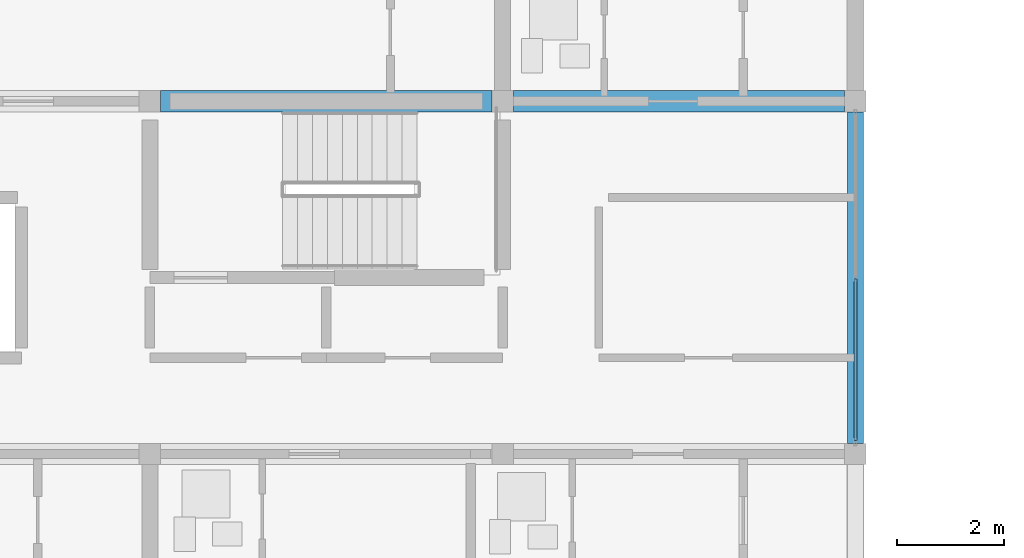
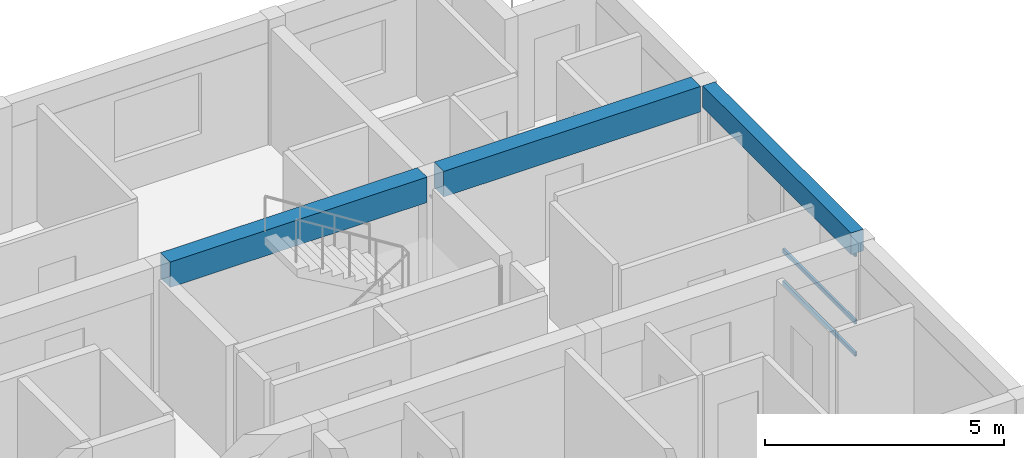
# One storey, part 9 of 45: 3 beams, 3 members, 1 element without a shape of its own.
"""IFC4 building model written with IfcOpenShell, lengths in metres."""

from ifc_helpers import new_model, si_unit, direction, frame, origin, origin_2d, place, context, subcontext, project, spatial, rectangle, hollow_rectangle, extrude, material, material_profile, profile_set, type_object, element, aggregate, save


model = new_model("IFC4")

# Units and contexts
model_context = context("Model", 3, precision=1e-05, world=origin(), true_north=direction((0.0, 1.0)))
body_context = subcontext(model_context, "Body", "Model", "MODEL_VIEW")
ifc_project = project(units=[si_unit("LENGTHUNIT", "METRE"), si_unit("AREAUNIT", "SQUARE_METRE"), si_unit("VOLUMEUNIT", "CUBIC_METRE"), si_unit("PLANEANGLEUNIT", "RADIAN"), si_unit("MASSUNIT", "GRAM", prefix="KILO")], contexts=[model_context])

# Site, building, storey
site_placement = place(None, origin())
site = spatial("IfcSite", under=ifc_project, at=site_placement, CompositionType="ELEMENT")
building_placement = place(site_placement, origin())
building = spatial("IfcBuilding", under=site, at=building_placement, Name="Kernevlak Ridge Housing Community", CompositionType="ELEMENT")
storey_placement = place(building_placement, frame((0.0, 0.0, 21.199951171875)))
storey = spatial("IfcBuildingStorey", under=building, at=storey_placement, Name="L06", CompositionType="ELEMENT", Elevation=21.199951171875)

# Beams
ifc_material_1 = material(Name="Concrete C35/45", Category="concrete")
ifc_material_profile_1 = material_profile(ifc_material_1, rectangle(XDim=0.39990234375, YDim=0.64990234375, at=origin_2d()), Name="RC 400x650")
ifc_profile_set_1 = profile_set([ifc_material_profile_1], Name="Concrete C35/45")
beam_type_1 = type_object("IfcBeamType", Name="B-03", PredefinedType="T_BEAM", material=ifc_profile_set_1)
for number, where, z_axis, x_axis, name in (
    (1, (29.0, 28.800048828125, 2.875), (1.0, 0.0, 0.0), (0.0, 1.0, 0.0), "Beam B-03 L06 1464"),
    (2, (35.60009765625, 28.800048828125, 2.875), (1.0, 0.0, 0.0), (0.0, 1.0, 0.0), "Beam B-03 L06 1465"),
):
    element("IfcBeam", number, at=place(storey_placement, frame(where, z_axis=z_axis, x_axis=x_axis)), inside=storey, type_object=beam_type_1, Name=name, PredefinedType="T_BEAM", context=body_context, shape_type="SweptSolid", body=[
        extrude(rectangle(XDim=0.39990234375, YDim=0.64990234375, at=origin_2d()), origin(), (0.0, 0.0, 1.0), 6.199951171875),
    ])
ifc_material_profile_2 = material_profile(ifc_material_1, rectangle(XDim=0.300048828125, YDim=0.550048828125, at=origin_2d()), Name="RC 300x550")
ifc_profile_set_2 = profile_set([ifc_material_profile_2], Name="Concrete C35/45")
beam_type_2 = type_object("IfcBeamType", Name="SP-01", PredefinedType="SPANDREL", material=ifc_profile_set_2)
beam_placement = place(storey_placement, frame((42.0, 22.39990234375, 2.925048828125), z_axis=(0.0, 1.0, 0.0), x_axis=(-1.0, 0.0, 0.0)))
element("IfcBeam", 3, at=beam_placement, inside=storey, type_object=beam_type_2, Name="Beam SP-01 L06 1474", PredefinedType="SPANDREL", context=body_context, shape_type="SweptSolid", body=[
    extrude(rectangle(XDim=0.300048828125, YDim=0.550048828125, at=origin_2d()), origin(), (0.0, 0.0, 1.0), 6.2001953125),
])

# Curtain wall, members
ifc_material_2 = material(Name="Aluminium EN AW-6060 anodised and laminated glass", Category="aluminium")
curtain_wall_type = type_object("IfcCurtainWallType", Name="CW-04", PredefinedType="NOTDEFINED", material=ifc_material_2)
curtain_wall_placement = place(storey_placement, origin())
curtain_wall = element("IfcCurtainWall", 4, at=curtain_wall_placement, inside=storey, type_object=curtain_wall_type, Name="Curtain wall CW-04 CW-L06-159", PredefinedType="NOTDEFINED")
ifc_material_3 = material(Name="Aluminium EN AW-6060 anodised", Category="aluminium")
ifc_material_profile_3 = material_profile(ifc_material_3, hollow_rectangle(XDim=0.054931640625, YDim=0.110107421875, WallThickness=0.00390625, InnerFilletRadius=0.001953125, OuterFilletRadius=0.00390625, at=origin_2d()), Name="ALU 55x110x4")
ifc_profile_set_3 = profile_set([ifc_material_profile_3], Name="Aluminium EN AW-6060 anodised")
member_type = type_object("IfcMemberType", Name="TM-01", PredefinedType="USERDEFINED", material=ifc_profile_set_3)
member_1_placement = place(storey_placement, frame((42.0, 22.455078125, 0.027587890625), z_axis=(0.0, 1.0, 0.0), x_axis=(-1.0, 0.0, 0.0)))
member_1 = element("IfcMember", 5, at=member_1_placement, type_object=member_type, Name="CW-04 transom 1.1", ObjectType="TRANSOM", PredefinedType="USERDEFINED", context=body_context, shape_type="SweptSolid", body=[
    extrude(hollow_rectangle(XDim=0.054931640625, YDim=0.110107421875, WallThickness=0.00390625, InnerFilletRadius=0.001953125, OuterFilletRadius=0.00390625, at=origin_2d()), origin(), (0.0, 0.0, 1.0), 3.017333984375),
])
member_2_placement = place(storey_placement, frame((42.0, 22.455078125, 0.85009765625), z_axis=(0.0, 1.0, 0.0), x_axis=(-1.0, 0.0, 0.0)))
member_2 = element("IfcMember", 6, at=member_2_placement, type_object=member_type, Name="CW-04 transom 1.2", ObjectType="TRANSOM", PredefinedType="USERDEFINED", context=body_context, shape_type="SweptSolid", body=[
    extrude(hollow_rectangle(XDim=0.054931640625, YDim=0.110107421875, WallThickness=0.00390625, InnerFilletRadius=0.001953125, OuterFilletRadius=0.00390625, at=origin_2d()), origin(), (0.0, 0.0, 1.0), 3.017333984375),
])
member_3_placement = place(storey_placement, frame((42.0, 22.455078125, 2.572509765625), z_axis=(0.0, 1.0, 0.0), x_axis=(-1.0, 0.0, 0.0)))
member_3 = element("IfcMember", 7, at=member_3_placement, type_object=member_type, Name="CW-04 transom 1.3", ObjectType="TRANSOM", PredefinedType="USERDEFINED", context=body_context, shape_type="SweptSolid", body=[
    extrude(hollow_rectangle(XDim=0.054931640625, YDim=0.110107421875, WallThickness=0.00390625, InnerFilletRadius=0.001953125, OuterFilletRadius=0.00390625, at=origin_2d()), origin(), (0.0, 0.0, 1.0), 3.017333984375),
])
aggregate(curtain_wall, [member_1, member_2, member_3])

save(model, "model.ifc")
